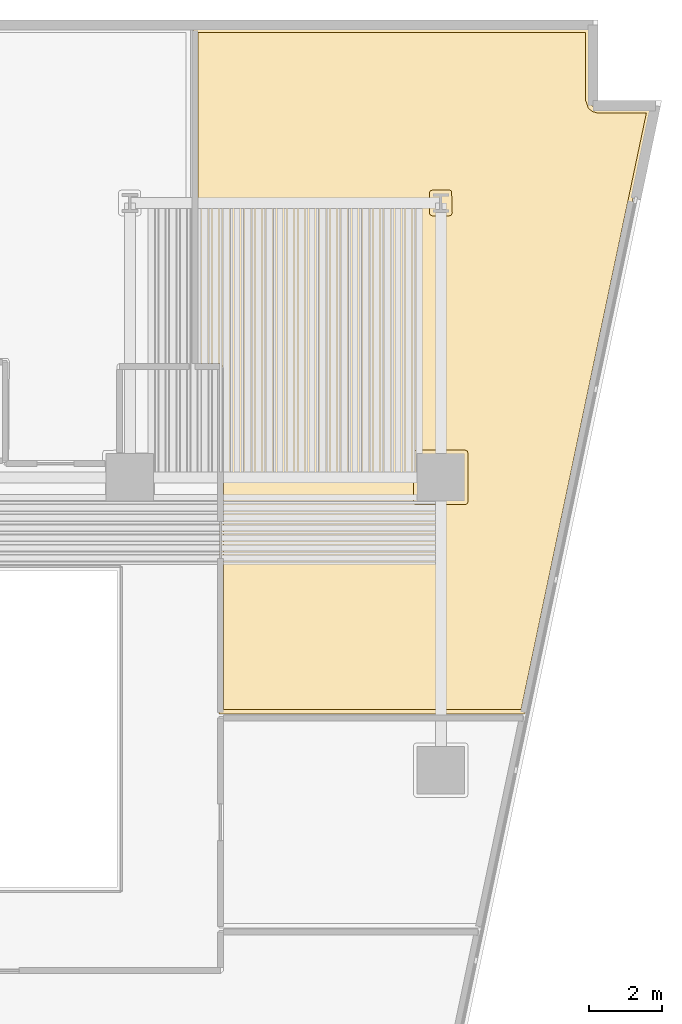
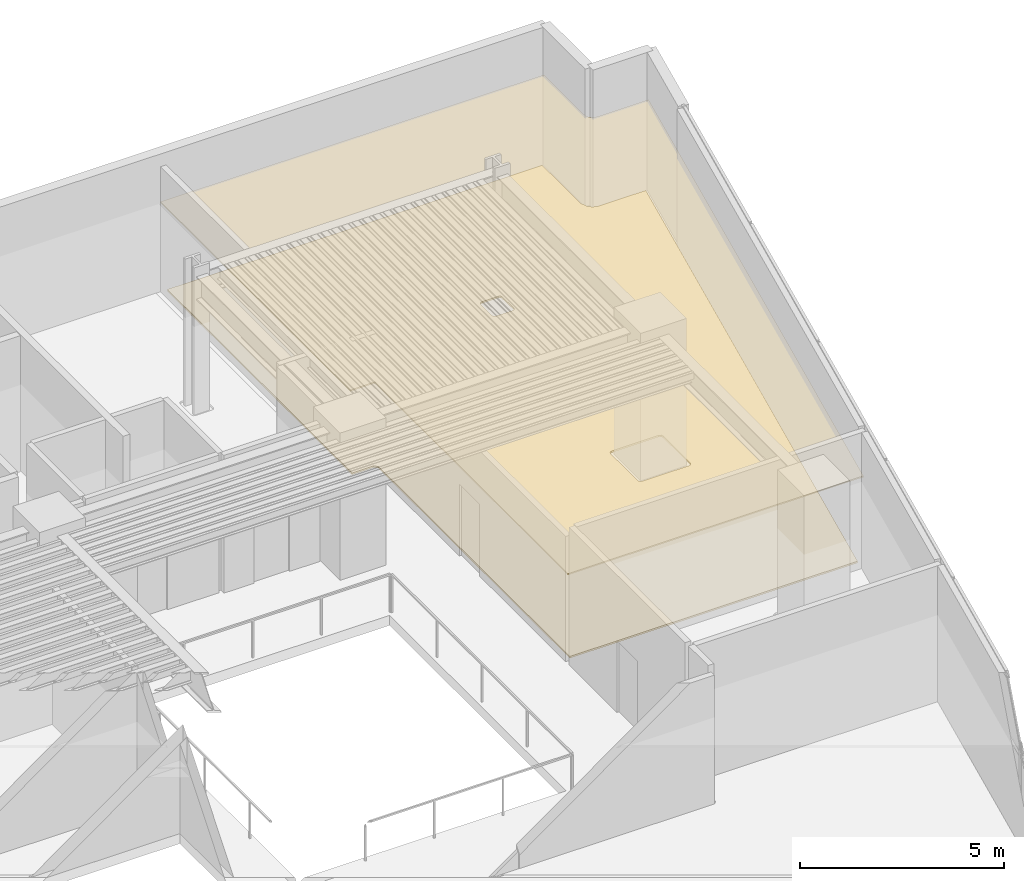
# One storey, part 11 of 11: 2 coverings.
"""IFC4 building model written with IfcOpenShell, lengths in metres."""

from ifc_helpers import new_model, si_unit, direction, frame, origin, place, context, subcontext, project, spatial, polyline, outline, extrude, material, layer, layer_set, type_object, element, save


model = new_model("IFC4")

# Units and contexts
model_context = context("Model", 3, precision=1e-05, world=origin(), true_north=direction((0.0, 1.0)))
body_context = subcontext(model_context, "Body", "Model", "MODEL_VIEW")
ifc_project = project(units=[si_unit("LENGTHUNIT", "METRE"), si_unit("AREAUNIT", "SQUARE_METRE"), si_unit("VOLUMEUNIT", "CUBIC_METRE"), si_unit("PLANEANGLEUNIT", "RADIAN"), si_unit("MASSUNIT", "GRAM", prefix="KILO")], contexts=[model_context])

# Site, building, storey
site_placement = place(None, origin())
site = spatial("IfcSite", under=ifc_project, at=site_placement, CompositionType="ELEMENT")
building_placement = place(site_placement, origin())
building = spatial("IfcBuilding", under=site, at=building_placement, Name="Caeloran Harvest Quay", CompositionType="ELEMENT")
storey_placement = place(building_placement, frame((0.0, 0.0, 75.39990234375)))
storey = spatial("IfcBuildingStorey", under=building, at=storey_placement, Name="L17", CompositionType="ELEMENT", Elevation=75.39990234375)

# Coverings
ifc_material_1 = material(Name="Perforated Mineral-Fibre Acoustic Ceiling Tile", Category="ceiling")
ifc_layer_1 = layer(ifc_material_1, 0.0400390625, Name="Perforated Mineral-Fibre Acoustic Ceiling Tile")
ifc_layer_set_1 = layer_set([ifc_layer_1], Name="Perforated Mineral-Fibre Acoustic Ceiling Tile")
covering_type_1 = type_object("IfcCoveringType", Name="COV-CEILING-ACOUSTIC", PredefinedType="CEILING", material=ifc_layer_set_1)
covering_1_placement = place(storey_placement, frame((0.0, 0.0, 2.60009765625)))
element("IfcCovering", 1, at=covering_1_placement, inside=storey, type_object=covering_type_1, Name="Medicinal Plant Aeroponic Room 10 Acoustic Ceiling", PredefinedType="CEILING", context=body_context, shape_type="SweptSolid", body=[
    extrude(outline(polyline([(44.239990234375, 43.280029296875), (55.080078125, 43.280029296875), (55.080078125, 41.301025390625), (55.089599609375, 41.236083984375), (55.1298828125, 41.160400390625), (55.1962890625, 41.10595703125), (55.2783203125, 41.0810546875), (56.766845703125, 41.080078125), (53.292236328125, 24.5400390625), (44.93994140625, 24.5400390625), (44.93994140625, 33.989990234375), (44.239990234375, 33.989990234375), (44.239990234375, 43.280029296875)])), origin(), (0.0, 0.0, 1.0), 0.0400390625),
])
ifc_material_2 = material(Name="Calcium-Sulphate Raised Access Floor and Terrazzo Finish", Category="flooring")
ifc_layer_2 = layer(ifc_material_2, 0.050048828125, Name="Calcium-Sulphate Raised Access Floor and Terrazzo Finish")
ifc_layer_set_2 = layer_set([ifc_layer_2], Name="Calcium-Sulphate Raised Access Floor and Terrazzo Finish")
covering_type_2 = type_object("IfcCoveringType", Name="COV-FLOOR-RAISED", PredefinedType="FLOORING", material=ifc_layer_set_2)
covering_2_placement = place(storey_placement, origin())
element("IfcCovering", 2, at=covering_2_placement, inside=storey, type_object=covering_type_2, Name="Medicinal Plant Aeroponic Room 10 Raised Finish Flooring", PredefinedType="FLOORING", context=body_context, shape_type="SweptSolid", body=[
    extrude(outline(polyline([(45.056396484375, 34.028076171875), (44.964599609375, 34.10888671875), (44.360107421875, 34.110107421875), (44.360107421875, 43.159912109375), (54.9599609375, 43.159912109375), (54.960205078125, 41.296142578125), (55.034912109375, 41.08740234375), (55.143310546875, 40.998291015625), (55.2705078125, 40.961181640625), (56.618896484375, 40.9599609375), (53.19482421875, 24.659912109375), (45.06005859375, 24.659912109375), (45.056396484375, 34.028076171875)]), holes=[polyline([(51.7451171875, 31.6650390625), (51.7216796875, 31.7216796875), (51.6650390625, 31.7451171875), (50.3349609375, 31.7451171875), (50.2783203125, 31.7216796875), (50.2548828125, 31.6650390625), (50.2548828125, 30.3349609375), (50.2783203125, 30.2783203125), (50.3349609375, 30.2548828125), (51.6650390625, 30.2548828125), (51.7216796875, 30.2783203125), (51.7451171875, 30.3349609375), (51.7451171875, 31.6650390625)]), polyline([(51.3134765625, 38.22802734375), (51.29541015625, 38.82275390625), (51.2412109375, 38.8515625), (50.7666015625, 38.85205078125), (50.7099609375, 38.82861328125), (50.6865234375, 38.77197265625), (50.6865234375, 38.22802734375), (50.7099609375, 38.17138671875), (50.7666015625, 38.14794921875), (51.2333984375, 38.14794921875), (51.2900390625, 38.17138671875), (51.3134765625, 38.22802734375)])]), origin(), (0.0, 0.0, 1.0), 0.050048828125),
])

save(model, "model.ifc")
